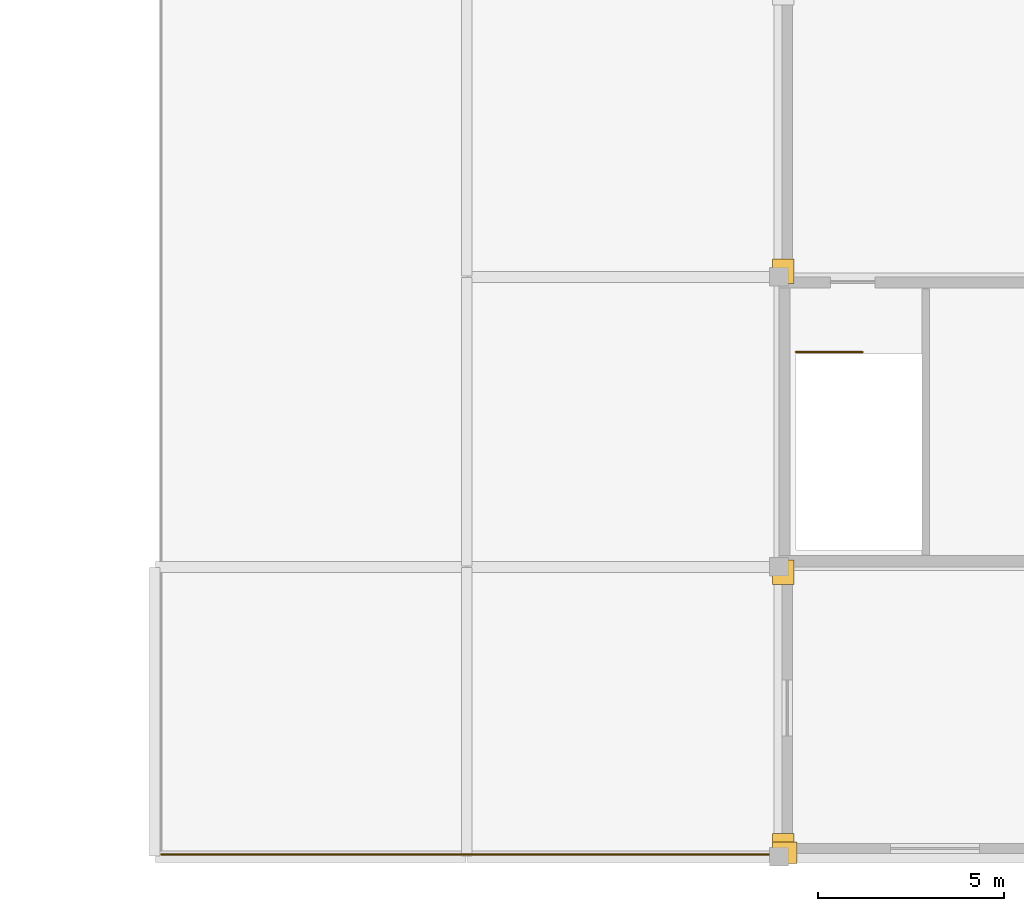
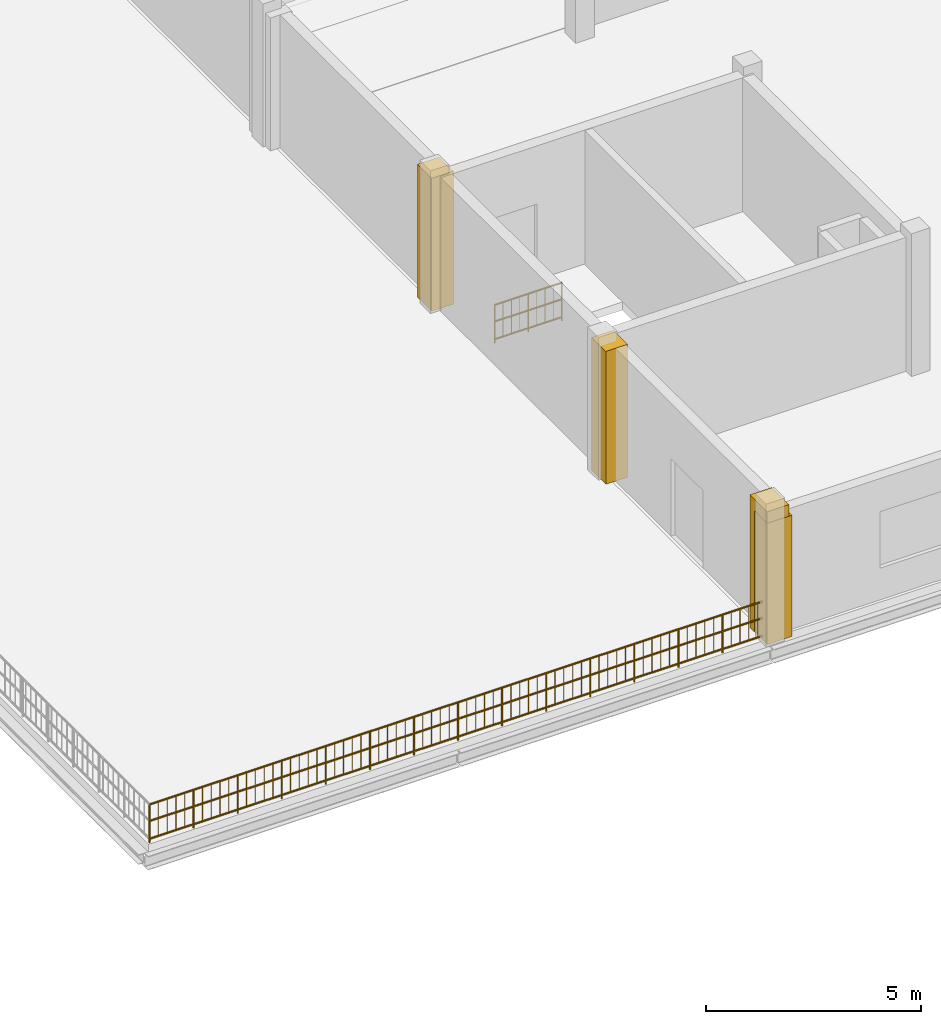
# One storey, part 34 of 41: 4 coverings, 2 railings.
"""IFC4 building model written with IfcOpenShell, lengths in metres."""

from ifc_helpers import new_model, si_unit, direction, frame, origin, origin_2d, place, context, subcontext, project, spatial, polyline, circle, outline, extrude, material, layer, layer_set, type_object, element, save


model = new_model("IFC4")

# Units and contexts
model_context = context("Model", 3, precision=1e-05, world=origin(), true_north=direction((0.0, 1.0)))
body_context = subcontext(model_context, "Body", "Model", "MODEL_VIEW")
ifc_project = project(units=[si_unit("LENGTHUNIT", "METRE"), si_unit("AREAUNIT", "SQUARE_METRE"), si_unit("VOLUMEUNIT", "CUBIC_METRE"), si_unit("PLANEANGLEUNIT", "RADIAN"), si_unit("MASSUNIT", "GRAM", prefix="KILO")], contexts=[model_context])

# Site, building, storey
site_placement = place(None, origin())
site = spatial("IfcSite", under=ifc_project, at=site_placement, CompositionType="ELEMENT")
building_placement = place(site_placement, origin())
building = spatial("IfcBuilding", under=site, at=building_placement, Name="Nabrawat Pavilion Hospital", CompositionType="ELEMENT")
storey_placement = place(building_placement, frame((0.0, 0.0, 18.89990234375)))
storey = spatial("IfcBuildingStorey", under=building, at=storey_placement, Name="L04", CompositionType="ELEMENT", Elevation=18.89990234375)

# Coverings
ifc_material_1 = material(Name="Precast concrete C40/50", Category="concrete")
ifc_layer_1 = layer(ifc_material_1, 0.360107421875, Name="Precast concrete C40/50")
ifc_layer_set_1 = layer_set([ifc_layer_1], Name="Precast concrete C40/50")
covering_type = type_object("IfcCoveringType", Name="Architectural Precast Column-Jamb Closure Reveal", PredefinedType="CLADDING", material=ifc_layer_set_1)
covering_1_placement = place(storey_placement, origin())
element("IfcCovering", 1, at=covering_1_placement, inside=storey, type_object=covering_type, Name="L04 Precast Facade Column-Jamb Weatherseal Closure 0537", PredefinedType="CLADDING", context=body_context, shape_type="SweptSolid", body=[
    extrude(outline(polyline([(143.199951171875, -0.179931640625), (143.199951171875, 0.6201171875), (142.6201171875, 0.6201171875), (142.6201171875, -0.179931640625), (143.199951171875, -0.179931640625)])), origin(), (0.0, 0.0, 1.0), 3.77001953125),
])
covering_2_placement = place(storey_placement, origin())
element("IfcCovering", 2, at=covering_2_placement, inside=storey, type_object=covering_type, Name="L04 Precast Facade Column-Jamb Weatherseal Closure 0538", PredefinedType="CLADDING", context=body_context, shape_type="SweptSolid", body=[
    extrude(outline(polyline([(143.199951171875, 7.320068359375), (143.199951171875, 7.97998046875), (142.6201171875, 7.97998046875), (142.6201171875, 7.320068359375), (143.199951171875, 7.320068359375)])), origin(), (0.0, 0.0, 1.0), 3.77001953125),
])
covering_3_placement = place(storey_placement, origin())
element("IfcCovering", 3, at=covering_3_placement, inside=storey, type_object=covering_type, Name="L04 Precast Facade Column-Jamb Weatherseal Closure 0539", PredefinedType="CLADDING", context=body_context, shape_type="SweptSolid", body=[
    extrude(outline(polyline([(143.199951171875, 15.419921875), (143.199951171875, 16.080078125), (142.6201171875, 16.080078125), (142.6201171875, 15.419921875), (143.199951171875, 15.419921875)])), origin(), (0.0, 0.0, 1.0), 3.77001953125),
])
covering_4_placement = place(storey_placement, origin())
element("IfcCovering", 4, at=covering_4_placement, inside=storey, type_object=covering_type, Name="L04 Precast Facade Column-Jamb Weatherseal Closure 0545", PredefinedType="CLADDING", context=body_context, shape_type="SweptSolid", body=[
    extrude(outline(polyline([(143.280029296875, -0.179931640625), (143.280029296875, 0.39990234375), (142.6201171875, 0.39990234375), (142.6201171875, -0.179931640625), (143.280029296875, -0.179931640625)])), origin(), (0.0, 0.0, 1.0), 3.440185546875),
])

# Railings
ifc_material_2 = material(Name="Stainless Steel 316", Category="steel")
ifc_layer_2 = layer(ifc_material_2, 0.070068359375, Name="Stainless Steel 316")
ifc_layer_set_2 = layer_set([ifc_layer_2], Name="Stainless Steel 316")
railing_type_1 = type_object("IfcRailingType", Name="Exterior Clinical Terrace Safety Guardrail 1100", PredefinedType="GUARDRAIL", material=ifc_layer_set_2)
railing_1_placement = place(storey_placement, frame((126.179931640625, 0.06005859375, 0.0)))
element("IfcRailing", 5, at=railing_1_placement, inside=storey, type_object=railing_type_1, Name="L04 Terrace Edge Safety Guardrail T_L04_V5_WEST South", PredefinedType="GUARDRAIL", context=body_context, shape_type="SweptSolid", body=[
    extrude(circle(Radius=0.02392578125, at=origin_2d()), frame((0.0, 0.0, 1.076171875), z_axis=(1.0, 0.0, 0.0), x_axis=(0.0, 1.0, 0.0)), (0.0, 0.0, 1.0), 16.56005859375),
    extrude(circle(Radius=0.02392578125, at=origin_2d()), frame((0.0, 0.0, 0.10009765625), z_axis=(1.0, 0.0, 0.0), x_axis=(0.0, 1.0, 0.0)), (0.0, 0.0, 1.0), 16.56005859375),
    extrude(circle(Radius=0.02392578125, at=origin_2d()), frame((0.0, 0.0, 0.60498046875), z_axis=(1.0, 0.0, 0.0), x_axis=(0.0, 1.0, 0.0)), (0.0, 0.0, 1.0), 16.56005859375),
    extrude(circle(Radius=0.008056640625, at=origin_2d()), frame((0.236572265625, 0.0, 0.10009765625)), (0.0, 0.0, 1.0), 0.951904296875),
    extrude(circle(Radius=0.008056640625, at=origin_2d()), frame((0.47314453125, 0.0, 0.10009765625)), (0.0, 0.0, 1.0), 0.951904296875),
    extrude(circle(Radius=0.008056640625, at=origin_2d()), frame((0.709716796875, 0.0, 0.10009765625)), (0.0, 0.0, 1.0), 0.951904296875),
    extrude(circle(Radius=0.008056640625, at=origin_2d()), frame((0.9462890625, 0.0, 0.10009765625)), (0.0, 0.0, 1.0), 0.951904296875),
    extrude(circle(Radius=0.008056640625, at=origin_2d()), frame((1.41943359375, 0.0, 0.10009765625)), (0.0, 0.0, 1.0), 0.951904296875),
    extrude(circle(Radius=0.008056640625, at=origin_2d()), frame((1.656005859375, 0.0, 0.10009765625)), (0.0, 0.0, 1.0), 0.951904296875),
    extrude(circle(Radius=0.008056640625, at=origin_2d()), frame((1.892578125, 0.0, 0.10009765625)), (0.0, 0.0, 1.0), 0.951904296875),
    extrude(circle(Radius=0.008056640625, at=origin_2d()), frame((2.129150390625, 0.0, 0.10009765625)), (0.0, 0.0, 1.0), 0.951904296875),
    extrude(circle(Radius=0.008056640625, at=origin_2d()), frame((2.602294921875, 0.0, 0.10009765625)), (0.0, 0.0, 1.0), 0.951904296875),
    extrude(circle(Radius=0.008056640625, at=origin_2d()), frame((2.8388671875, 0.0, 0.10009765625)), (0.0, 0.0, 1.0), 0.951904296875),
    extrude(circle(Radius=0.008056640625, at=origin_2d()), frame((3.075439453125, 0.0, 0.10009765625)), (0.0, 0.0, 1.0), 0.951904296875),
    extrude(circle(Radius=0.008056640625, at=origin_2d()), frame((3.31201171875, 0.0, 0.10009765625)), (0.0, 0.0, 1.0), 0.951904296875),
    extrude(circle(Radius=0.008056640625, at=origin_2d()), frame((3.78515625, 0.0, 0.10009765625)), (0.0, 0.0, 1.0), 0.951904296875),
    extrude(circle(Radius=0.008056640625, at=origin_2d()), frame((4.021728515625, 0.0, 0.10009765625)), (0.0, 0.0, 1.0), 0.951904296875),
    extrude(circle(Radius=0.008056640625, at=origin_2d()), frame((4.25830078125, 0.0, 0.10009765625)), (0.0, 0.0, 1.0), 0.951904296875),
    extrude(circle(Radius=0.008056640625, at=origin_2d()), frame((4.494873046875, 0.0, 0.10009765625)), (0.0, 0.0, 1.0), 0.951904296875),
    extrude(circle(Radius=0.008056640625, at=origin_2d()), frame((4.968017578125, 0.0, 0.10009765625)), (0.0, 0.0, 1.0), 0.951904296875),
    extrude(circle(Radius=0.008056640625, at=origin_2d()), frame((5.20458984375, 0.0, 0.10009765625)), (0.0, 0.0, 1.0), 0.951904296875),
    extrude(circle(Radius=0.008056640625, at=origin_2d()), frame((5.441162109375, 0.0, 0.10009765625)), (0.0, 0.0, 1.0), 0.951904296875),
    extrude(circle(Radius=0.008056640625, at=origin_2d()), frame((5.677734375, 0.0, 0.10009765625)), (0.0, 0.0, 1.0), 0.951904296875),
    extrude(circle(Radius=0.008056640625, at=origin_2d()), frame((6.15087890625, 0.0, 0.10009765625)), (0.0, 0.0, 1.0), 0.951904296875),
    extrude(circle(Radius=0.008056640625, at=origin_2d()), frame((6.387451171875, 0.0, 0.10009765625)), (0.0, 0.0, 1.0), 0.951904296875),
    extrude(circle(Radius=0.008056640625, at=origin_2d()), frame((6.6240234375, 0.0, 0.10009765625)), (0.0, 0.0, 1.0), 0.951904296875),
    extrude(circle(Radius=0.008056640625, at=origin_2d()), frame((6.860595703125, 0.0, 0.10009765625)), (0.0, 0.0, 1.0), 0.951904296875),
    extrude(circle(Radius=0.008056640625, at=origin_2d()), frame((7.333740234375, 0.0, 0.10009765625)), (0.0, 0.0, 1.0), 0.951904296875),
    extrude(circle(Radius=0.008056640625, at=origin_2d()), frame((7.5703125, 0.0, 0.10009765625)), (0.0, 0.0, 1.0), 0.951904296875),
    extrude(circle(Radius=0.008056640625, at=origin_2d()), frame((7.806884765625, 0.0, 0.10009765625)), (0.0, 0.0, 1.0), 0.951904296875),
    extrude(circle(Radius=0.008056640625, at=origin_2d()), frame((8.04345703125, 0.0, 0.10009765625)), (0.0, 0.0, 1.0), 0.951904296875),
    extrude(circle(Radius=0.008056640625, at=origin_2d()), frame((8.5166015625, 0.0, 0.10009765625)), (0.0, 0.0, 1.0), 0.951904296875),
    extrude(circle(Radius=0.008056640625, at=origin_2d()), frame((8.753173828125, 0.0, 0.10009765625)), (0.0, 0.0, 1.0), 0.951904296875),
    extrude(circle(Radius=0.008056640625, at=origin_2d()), frame((8.98974609375, 0.0, 0.10009765625)), (0.0, 0.0, 1.0), 0.951904296875),
    extrude(circle(Radius=0.008056640625, at=origin_2d()), frame((9.226318359375, 0.0, 0.10009765625)), (0.0, 0.0, 1.0), 0.951904296875),
    extrude(circle(Radius=0.008056640625, at=origin_2d()), frame((9.699462890625, 0.0, 0.10009765625)), (0.0, 0.0, 1.0), 0.951904296875),
    extrude(circle(Radius=0.008056640625, at=origin_2d()), frame((9.93603515625, 0.0, 0.10009765625)), (0.0, 0.0, 1.0), 0.951904296875),
    extrude(circle(Radius=0.008056640625, at=origin_2d()), frame((10.172607421875, 0.0, 0.10009765625)), (0.0, 0.0, 1.0), 0.951904296875),
    extrude(circle(Radius=0.008056640625, at=origin_2d()), frame((10.4091796875, 0.0, 0.10009765625)), (0.0, 0.0, 1.0), 0.951904296875),
    extrude(circle(Radius=0.008056640625, at=origin_2d()), frame((10.88232421875, 0.0, 0.10009765625)), (0.0, 0.0, 1.0), 0.951904296875),
    extrude(circle(Radius=0.008056640625, at=origin_2d()), frame((11.118896484375, 0.0, 0.10009765625)), (0.0, 0.0, 1.0), 0.951904296875),
    extrude(circle(Radius=0.008056640625, at=origin_2d()), frame((11.35546875, 0.0, 0.10009765625)), (0.0, 0.0, 1.0), 0.951904296875),
    extrude(circle(Radius=0.008056640625, at=origin_2d()), frame((11.592041015625, 0.0, 0.10009765625)), (0.0, 0.0, 1.0), 0.951904296875),
    extrude(circle(Radius=0.008056640625, at=origin_2d()), frame((12.065185546875, 0.0, 0.10009765625)), (0.0, 0.0, 1.0), 0.951904296875),
    extrude(circle(Radius=0.008056640625, at=origin_2d()), frame((12.3017578125, 0.0, 0.10009765625)), (0.0, 0.0, 1.0), 0.951904296875),
    extrude(circle(Radius=0.008056640625, at=origin_2d()), frame((12.538330078125, 0.0, 0.10009765625)), (0.0, 0.0, 1.0), 0.951904296875),
    extrude(circle(Radius=0.008056640625, at=origin_2d()), frame((12.77490234375, 0.0, 0.10009765625)), (0.0, 0.0, 1.0), 0.951904296875),
    extrude(circle(Radius=0.008056640625, at=origin_2d()), frame((13.248046875, 0.0, 0.10009765625)), (0.0, 0.0, 1.0), 0.951904296875),
    extrude(circle(Radius=0.008056640625, at=origin_2d()), frame((13.484619140625, 0.0, 0.10009765625)), (0.0, 0.0, 1.0), 0.951904296875),
    extrude(circle(Radius=0.008056640625, at=origin_2d()), frame((13.72119140625, 0.0, 0.10009765625)), (0.0, 0.0, 1.0), 0.951904296875),
    extrude(circle(Radius=0.008056640625, at=origin_2d()), frame((13.957763671875, 0.0, 0.10009765625)), (0.0, 0.0, 1.0), 0.951904296875),
    extrude(circle(Radius=0.008056640625, at=origin_2d()), frame((14.430908203125, 0.0, 0.10009765625)), (0.0, 0.0, 1.0), 0.951904296875),
    extrude(circle(Radius=0.008056640625, at=origin_2d()), frame((14.66748046875, 0.0, 0.10009765625)), (0.0, 0.0, 1.0), 0.951904296875),
    extrude(circle(Radius=0.008056640625, at=origin_2d()), frame((14.904052734375, 0.0, 0.10009765625)), (0.0, 0.0, 1.0), 0.951904296875),
    extrude(circle(Radius=0.008056640625, at=origin_2d()), frame((15.140625, 0.0, 0.10009765625)), (0.0, 0.0, 1.0), 0.951904296875),
    extrude(circle(Radius=0.008056640625, at=origin_2d()), frame((15.61376953125, 0.0, 0.10009765625)), (0.0, 0.0, 1.0), 0.951904296875),
    extrude(circle(Radius=0.008056640625, at=origin_2d()), frame((15.850341796875, 0.0, 0.10009765625)), (0.0, 0.0, 1.0), 0.951904296875),
    extrude(circle(Radius=0.008056640625, at=origin_2d()), frame((16.0869140625, 0.0, 0.10009765625)), (0.0, 0.0, 1.0), 0.951904296875),
    extrude(circle(Radius=0.008056640625, at=origin_2d()), frame((16.323486328125, 0.0, 0.10009765625)), (0.0, 0.0, 1.0), 0.951904296875),
    extrude(circle(Radius=0.02099609375, at=origin_2d()), origin(), (0.0, 0.0, 1.0), 1.052001953125),
    extrude(circle(Radius=0.02099609375, at=origin_2d()), frame((1.182861328125, 0.0, 0.0)), (0.0, 0.0, 1.0), 1.052001953125),
    extrude(circle(Radius=0.02099609375, at=origin_2d()), frame((2.36572265625, 0.0, 0.0)), (0.0, 0.0, 1.0), 1.052001953125),
    extrude(circle(Radius=0.02099609375, at=origin_2d()), frame((3.548583984375, 0.0, 0.0)), (0.0, 0.0, 1.0), 1.052001953125),
    extrude(circle(Radius=0.02099609375, at=origin_2d()), frame((4.7314453125, 0.0, 0.0)), (0.0, 0.0, 1.0), 1.052001953125),
    extrude(circle(Radius=0.02099609375, at=origin_2d()), frame((5.914306640625, 0.0, 0.0)), (0.0, 0.0, 1.0), 1.052001953125),
    extrude(circle(Radius=0.02099609375, at=origin_2d()), frame((7.09716796875, 0.0, 0.0)), (0.0, 0.0, 1.0), 1.052001953125),
    extrude(circle(Radius=0.02099609375, at=origin_2d()), frame((8.280029296875, 0.0, 0.0)), (0.0, 0.0, 1.0), 1.052001953125),
    extrude(circle(Radius=0.02099609375, at=origin_2d()), frame((9.462890625, 0.0, 0.0)), (0.0, 0.0, 1.0), 1.052001953125),
    extrude(circle(Radius=0.02099609375, at=origin_2d()), frame((10.645751953125, 0.0, 0.0)), (0.0, 0.0, 1.0), 1.052001953125),
    extrude(circle(Radius=0.02099609375, at=origin_2d()), frame((11.82861328125, 0.0, 0.0)), (0.0, 0.0, 1.0), 1.052001953125),
    extrude(circle(Radius=0.02099609375, at=origin_2d()), frame((13.011474609375, 0.0, 0.0)), (0.0, 0.0, 1.0), 1.052001953125),
    extrude(circle(Radius=0.02099609375, at=origin_2d()), frame((14.1943359375, 0.0, 0.0)), (0.0, 0.0, 1.0), 1.052001953125),
    extrude(circle(Radius=0.02099609375, at=origin_2d()), frame((15.377197265625, 0.0, 0.0)), (0.0, 0.0, 1.0), 1.052001953125),
    extrude(circle(Radius=0.02099609375, at=origin_2d()), frame((16.56005859375, 0.0, 0.0)), (0.0, 0.0, 1.0), 1.052001953125),
])
ifc_layer_3 = layer(ifc_material_2, 0.050048828125, Name="Stainless Steel 316")
ifc_layer_set_3 = layer_set([ifc_layer_3], Name="Stainless Steel 316")
railing_type_2 = type_object("IfcRailingType", Name="Stair Open-Well Safety Guardrail 1100", PredefinedType="GUARDRAIL", material=ifc_layer_set_3)
railing_2_placement = place(storey_placement, frame((143.25, 13.580078125, 0.0)))
element("IfcRailing", 6, at=railing_2_placement, inside=storey, type_object=railing_type_2, Name="L04 ST-08 top well guard 1", PredefinedType="GUARDRAIL", context=body_context, shape_type="SweptSolid", body=[
    extrude(circle(Radius=0.02392578125, at=origin_2d()), frame((0.0, 0.0, 1.076171875), z_axis=(1.0, 0.0, 0.0), x_axis=(0.0, 1.0, 0.0)), (0.0, 0.0, 1.0), 1.800048828125),
    extrude(circle(Radius=0.02392578125, at=origin_2d()), frame((0.0, 0.0, 0.10009765625), z_axis=(1.0, 0.0, 0.0), x_axis=(0.0, 1.0, 0.0)), (0.0, 0.0, 1.0), 1.800048828125),
    extrude(circle(Radius=0.02392578125, at=origin_2d()), frame((0.0, 0.0, 0.60498046875), z_axis=(1.0, 0.0, 0.0), x_axis=(0.0, 1.0, 0.0)), (0.0, 0.0, 1.0), 1.800048828125),
    extrude(circle(Radius=0.008056640625, at=origin_2d()), frame((0.22509765625, 0.0, 0.10009765625)), (0.0, 0.0, 1.0), 0.951904296875),
    extrude(circle(Radius=0.008056640625, at=origin_2d()), frame((0.449951171875, 0.0, 0.10009765625)), (0.0, 0.0, 1.0), 0.951904296875),
    extrude(circle(Radius=0.008056640625, at=origin_2d()), frame((0.675048828125, 0.0, 0.10009765625)), (0.0, 0.0, 1.0), 0.951904296875),
    extrude(circle(Radius=0.008056640625, at=origin_2d()), frame((1.125, 0.0, 0.10009765625)), (0.0, 0.0, 1.0), 0.951904296875),
    extrude(circle(Radius=0.008056640625, at=origin_2d()), frame((1.35009765625, 0.0, 0.10009765625)), (0.0, 0.0, 1.0), 0.951904296875),
    extrude(circle(Radius=0.008056640625, at=origin_2d()), frame((1.574951171875, 0.0, 0.10009765625)), (0.0, 0.0, 1.0), 0.951904296875),
    extrude(circle(Radius=0.02099609375, at=origin_2d()), origin(), (0.0, 0.0, 1.0), 1.052001953125),
    extrude(circle(Radius=0.02099609375, at=origin_2d()), frame((0.89990234375, 0.0, 0.0)), (0.0, 0.0, 1.0), 1.052001953125),
    extrude(circle(Radius=0.02099609375, at=origin_2d()), frame((1.800048828125, 0.0, 0.0)), (0.0, 0.0, 1.0), 1.052001953125),
])

save(model, "model.ifc")
